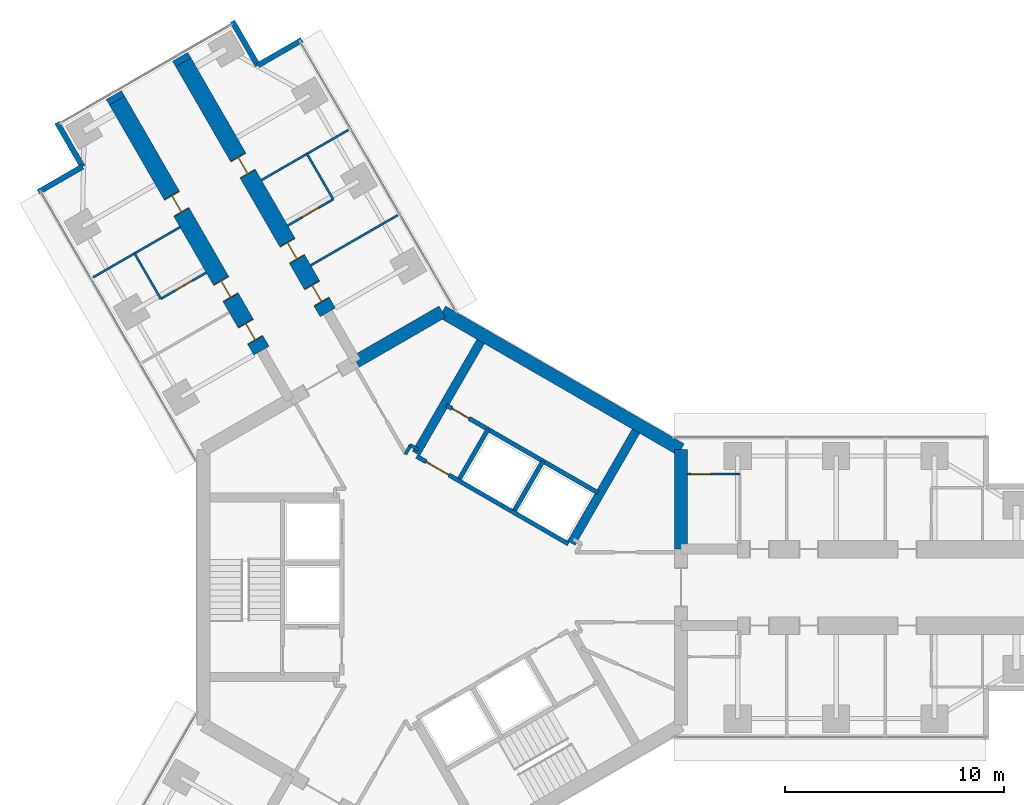
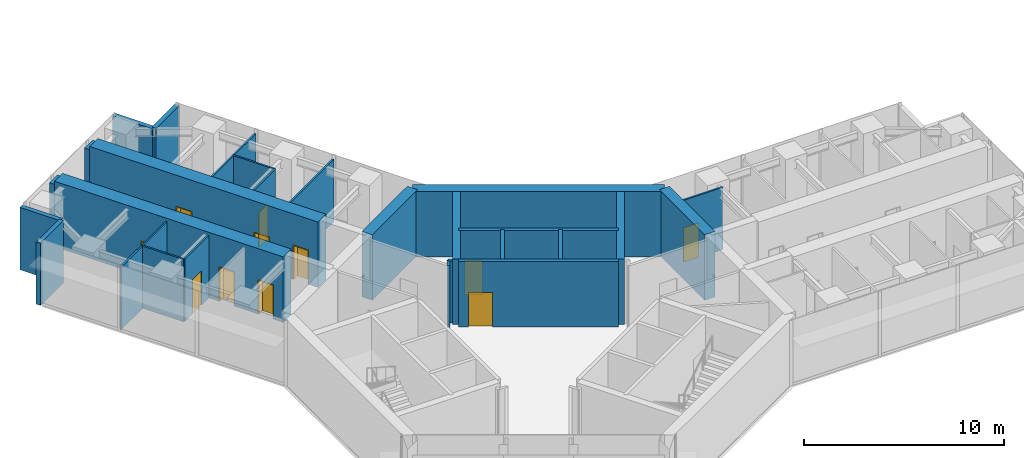
# One storey, part 17 of 23: 27 walls, 11 doors, 11 openings.
"""IFC4 building model written with IfcOpenShell, lengths in metres."""

from ifc_helpers import new_model, si_unit, direction, frame, frame_2d, origin, place, context, subcontext, project, spatial, rectangle, extrude, material, layer, layer_set, type_object, element, fill, save


model = new_model("IFC4")

# Units and contexts
model_context = context("Model", 3, precision=1e-05, world=origin(), true_north=direction((0.0, 1.0)))
body_context = subcontext(model_context, "Body", "Model", "MODEL_VIEW")
ifc_project = project(units=[si_unit("LENGTHUNIT", "METRE"), si_unit("AREAUNIT", "SQUARE_METRE"), si_unit("VOLUMEUNIT", "CUBIC_METRE"), si_unit("PLANEANGLEUNIT", "RADIAN"), si_unit("MASSUNIT", "GRAM", prefix="KILO")], contexts=[model_context])

# Site, building, storey
site_placement = place(None, origin())
site = spatial("IfcSite", under=ifc_project, at=site_placement, CompositionType="ELEMENT")
building_placement = place(site_placement, origin())
building = spatial("IfcBuilding", under=site, at=building_placement, Name="Upepo Twin Towers", CompositionType="ELEMENT")
storey_placement = place(building_placement, frame((0.0, 0.0, 145.5)))
storey = spatial("IfcBuildingStorey", under=building, at=storey_placement, Name="L35", CompositionType="ELEMENT", Elevation=145.5)

# Walls
ifc_material_1 = material(Name="Dense concrete blockwork", Category="masonry")
ifc_layer_1 = layer(ifc_material_1, 0.800048828125)
ifc_layer_set_1 = layer_set([ifc_layer_1], Name="Buttress closer 800, blockwork with fire-stopping to the curtain wall")
wall_type_1 = type_object("IfcWallType", Name="Buttress closer 800, blockwork with fire-stopping to the curtain wall", PredefinedType="PARTITIONING", material=ifc_layer_set_1)
wall_1_placement = place(storey_placement, frame((-14.865478515625, 22.247802734375, 0.0), z_axis=(0.0, 0.0, 1.0), x_axis=(-0.500426713919, 0.865778900179, 0.0)))
element("IfcWall", 1, at=wall_1_placement, inside=storey, type_object=wall_type_1, Name="T1 L35 wing B buttress closer L", PredefinedType="PARTITIONING", context=body_context, shape_type="SweptSolid", body=[
    extrude(rectangle(XDim=0.300048828125, YDim=0.800048828125, at=frame_2d((0.14990234375, 0.0))), origin(), (0.0, 0.0, 1.0), 3.800048828125),
])
wall_2_placement = place(storey_placement, frame((-11.83447265625, 23.997802734375, 0.0), z_axis=(0.0, 0.0, 1.0), x_axis=(-0.499816412211, 0.866131372301, 0.0)))
element("IfcWall", 2, at=wall_2_placement, inside=storey, type_object=wall_type_1, Name="T1 L35 wing B buttress closer R", PredefinedType="PARTITIONING", context=body_context, shape_type="SweptSolid", body=[
    extrude(rectangle(XDim=0.2998046875, YDim=0.800048828125, at=frame_2d((0.14990234375, 0.0))), origin(), (0.0, 0.0, 1.0), 3.800048828125),
])

# Wall, openings, doors
ifc_material_2 = material(Name="Concrete C60/75", Category="concrete")
ifc_layer_2 = layer(ifc_material_2, 0.800048828125)
ifc_layer_set_2 = layer_set([ifc_layer_2], Name="Concrete C60/75")
wall_type_2 = type_object("IfcWallType", Name="Buttress wall 800 RC", PredefinedType="SHEAR", material=ifc_layer_set_2)
wall_3_placement = place(storey_placement, frame((-8.265625, 10.81640625, 0.0), z_axis=(0.0, 0.0, 1.0), x_axis=(-0.499996231654, 0.866027579429, 0.0)))
wall_3 = element("IfcWall", 3, at=wall_3_placement, inside=storey, type_object=wall_type_2, Name="T1 wing B buttress wall L part 2", PredefinedType="SHEAR", context=body_context, shape_type="SweptSolid", body=[
    extrude(rectangle(XDim=13.19970703125, YDim=0.800048828125, at=frame_2d((6.599853515625, 0.0))), origin(), (0.0, 0.0, 1.0), 4.0),
])
opening_1_placement = place(wall_3_placement, frame((0.550048828125, 0.0, 0.0)))
opening_1 = element("IfcOpeningElement", 4, at=opening_1_placement, cuts=wall_3, Name="Opening D14", PredefinedType="OPENING", context=body_context, shape_type="SweptSolid", body=[
    extrude(rectangle(XDim=0.89990234375, YDim=2.10009765625, at=frame_2d((0.449951171875, 1.050048828125))), frame((0.0, 0.409912109375, 0.0), z_axis=(0.0, -1.0, 0.0), x_axis=(1.0, 0.0, 0.0)), (0.0, 0.0, 1.0), 0.820068359375),
])
opening_2_placement = place(wall_3_placement, frame((2.800048828125, 0.0, 0.0)))
opening_2 = element("IfcOpeningElement", 5, at=opening_2_placement, cuts=wall_3, Name="Opening D14", PredefinedType="OPENING", context=body_context, shape_type="SweptSolid", body=[
    extrude(rectangle(XDim=0.89990234375, YDim=2.10009765625, at=frame_2d((0.449951171875, 1.050048828125))), frame((0.0, 0.409912109375, 0.0), z_axis=(0.0, -1.0, 0.0), x_axis=(1.0, 0.0, 0.0)), (0.0, 0.0, 1.0), 0.820068359375),
])
opening_3_placement = place(wall_3_placement, frame((7.300048828125, 0.0, 0.0)))
opening_3 = element("IfcOpeningElement", 6, at=opening_3_placement, cuts=wall_3, Name="Opening D14", PredefinedType="OPENING", context=body_context, shape_type="SweptSolid", body=[
    extrude(rectangle(XDim=0.89990234375, YDim=2.10009765625, at=frame_2d((0.449951171875, 1.050048828125))), frame((0.0, 0.409912109375, 0.0), z_axis=(0.0, -1.0, 0.0), x_axis=(1.0, 0.0, 0.0)), (0.0, 0.0, 1.0), 0.820068359375),
])
ifc_material_3 = material(Name="Timber doorset", Category="wood")
door_type_1 = type_object("IfcDoorType", Name="Office door 900 FD30", OperationType="SINGLE_SWING_LEFT", PredefinedType="DOOR", material=ifc_material_3)
door_1_placement = place(opening_1_placement, origin())
door_1 = element("IfcDoor", 7, at=door_1_placement, inside=storey, type_object=door_type_1, Name="T1 L35 staff office door", OperationType="SINGLE_SWING_LEFT", OverallHeight=2.10009765625, OverallWidth=0.89990234375, PredefinedType="DOOR", context=body_context, shape_type="SweptSolid", body=[
    extrude(rectangle(XDim=0.81990234375, YDim=2.06009765625, at=frame_2d((0.449951171875, 1.030029296875))), frame((0.0, 0.02490234375, 0.0), z_axis=(0.0, -1.0, 0.0), x_axis=(1.0, 0.0, 0.0)), (0.0, 0.0, 1.0), 0.050048828125),
    extrude(rectangle(XDim=0.04, YDim=2.10009765625, at=frame_2d((0.02001953125, 1.050048828125))), frame((0.0, 0.39990234375, 0.0), z_axis=(0.0, -1.0, 0.0), x_axis=(1.0, 0.0, 0.0)), (0.0, 0.0, 1.0), 0.799560546875),
    extrude(rectangle(XDim=0.04, YDim=2.10009765625, at=frame_2d((0.8798828125, 1.050048828125))), frame((0.0, 0.39990234375, 0.0), z_axis=(0.0, -1.0, 0.0), x_axis=(1.0, 0.0, 0.0)), (0.0, 0.0, 1.0), 0.799560546875),
    extrude(rectangle(XDim=0.81990234375, YDim=0.04, at=frame_2d((0.449951171875, 2.080078125))), frame((0.0, 0.39990234375, 0.0), z_axis=(0.0, -1.0, 0.0), x_axis=(1.0, 0.0, 0.0)), (0.0, 0.0, 1.0), 0.799560546875),
])
fill(opening_1, door_1)
door_2_placement = place(opening_2_placement, origin())
door_2 = element("IfcDoor", 8, at=door_2_placement, inside=storey, type_object=door_type_1, Name="T1 L35 postgraduate office door", OperationType="SINGLE_SWING_LEFT", OverallHeight=2.10009765625, OverallWidth=0.89990234375, PredefinedType="DOOR", context=body_context, shape_type="SweptSolid", body=[
    extrude(rectangle(XDim=0.81990234375, YDim=2.06009765625, at=frame_2d((0.449951171875, 1.030029296875))), frame((0.0, 0.02490234375, 0.0), z_axis=(0.0, -1.0, 0.0), x_axis=(1.0, 0.0, 0.0)), (0.0, 0.0, 1.0), 0.050048828125),
    extrude(rectangle(XDim=0.04, YDim=2.10009765625, at=frame_2d((0.02001953125, 1.050048828125))), frame((0.0, 0.39990234375, 0.0), z_axis=(0.0, -1.0, 0.0), x_axis=(1.0, 0.0, 0.0)), (0.0, 0.0, 1.0), 0.799560546875),
    extrude(rectangle(XDim=0.04, YDim=2.10009765625, at=frame_2d((0.8798828125, 1.050048828125))), frame((0.0, 0.39990234375, 0.0), z_axis=(0.0, -1.0, 0.0), x_axis=(1.0, 0.0, 0.0)), (0.0, 0.0, 1.0), 0.799560546875),
    extrude(rectangle(XDim=0.81990234375, YDim=0.04, at=frame_2d((0.449951171875, 2.080078125))), frame((0.0, 0.39990234375, 0.0), z_axis=(0.0, -1.0, 0.0), x_axis=(1.0, 0.0, 0.0)), (0.0, 0.0, 1.0), 0.799560546875),
])
fill(opening_2, door_2)
door_3_placement = place(opening_3_placement, origin())
door_3 = element("IfcDoor", 9, at=door_3_placement, inside=storey, type_object=door_type_1, Name="T1 L35 meeting room door", OperationType="SINGLE_SWING_RIGHT", OverallHeight=2.10009765625, OverallWidth=0.89990234375, PredefinedType="DOOR", context=body_context, shape_type="SweptSolid", body=[
    extrude(rectangle(XDim=0.81990234375, YDim=2.06009765625, at=frame_2d((0.449951171875, 1.030029296875))), frame((0.0, 0.02490234375, 0.0), z_axis=(0.0, -1.0, 0.0), x_axis=(1.0, 0.0, 0.0)), (0.0, 0.0, 1.0), 0.050048828125),
    extrude(rectangle(XDim=0.04, YDim=2.10009765625, at=frame_2d((0.02001953125, 1.050048828125))), frame((0.0, 0.39990234375, 0.0), z_axis=(0.0, -1.0, 0.0), x_axis=(1.0, 0.0, 0.0)), (0.0, 0.0, 1.0), 0.799560546875),
    extrude(rectangle(XDim=0.04, YDim=2.10009765625, at=frame_2d((0.8798828125, 1.050048828125))), frame((0.0, 0.39990234375, 0.0), z_axis=(0.0, -1.0, 0.0), x_axis=(1.0, 0.0, 0.0)), (0.0, 0.0, 1.0), 0.799560546875),
    extrude(rectangle(XDim=0.81990234375, YDim=0.04, at=frame_2d((0.449951171875, 2.080078125))), frame((0.0, 0.39990234375, 0.0), z_axis=(0.0, -1.0, 0.0), x_axis=(1.0, 0.0, 0.0)), (0.0, 0.0, 1.0), 0.799560546875),
])
fill(opening_3, door_3)

wall_4_placement = place(storey_placement, frame((-5.234375, 12.56640625, 0.0), z_axis=(0.0, 0.0, 1.0), x_axis=(-0.500010103361, 0.866019570528, 0.0)))
wall_4 = element("IfcWall", 10, at=wall_4_placement, inside=storey, type_object=wall_type_2, Name="T1 wing B buttress wall R part 2", PredefinedType="SHEAR", context=body_context, shape_type="SweptSolid", body=[
    extrude(rectangle(XDim=13.199951171875, YDim=0.800048828125, at=frame_2d((6.60009765625, 0.0))), origin(), (0.0, 0.0, 1.0), 4.0),
])
opening_4_placement = place(wall_4_placement, frame((0.550048828125, 0.0, 0.0)))
opening_4 = element("IfcOpeningElement", 11, at=opening_4_placement, cuts=wall_4, Name="Opening D14", PredefinedType="OPENING", context=body_context, shape_type="SweptSolid", body=[
    extrude(rectangle(XDim=0.89990234375, YDim=2.10009765625, at=frame_2d((0.449951171875, 1.050048828125))), frame((0.0, 0.409912109375, 0.0), z_axis=(0.0, -1.0, 0.0), x_axis=(1.0, 0.0, 0.0)), (0.0, 0.0, 1.0), 0.820068359375),
])
opening_5_placement = place(wall_4_placement, frame((2.800048828125, 0.0, 0.0)))
opening_5 = element("IfcOpeningElement", 12, at=opening_5_placement, cuts=wall_4, Name="Opening D14", PredefinedType="OPENING", context=body_context, shape_type="SweptSolid", body=[
    extrude(rectangle(XDim=0.89990234375, YDim=2.10009765625, at=frame_2d((0.449951171875, 1.050048828125))), frame((0.0, 0.409912109375, 0.0), z_axis=(0.0, -1.0, 0.0), x_axis=(1.0, 0.0, 0.0)), (0.0, 0.0, 1.0), 0.820068359375),
])
opening_6_placement = place(wall_4_placement, frame((7.300048828125, 0.0, 0.0)))
opening_6 = element("IfcOpeningElement", 13, at=opening_6_placement, cuts=wall_4, Name="Opening D14", PredefinedType="OPENING", context=body_context, shape_type="SweptSolid", body=[
    extrude(rectangle(XDim=0.89990234375, YDim=2.10009765625, at=frame_2d((0.449951171875, 1.050048828125))), frame((0.0, 0.409912109375, 0.0), z_axis=(0.0, -1.0, 0.0), x_axis=(1.0, 0.0, 0.0)), (0.0, 0.0, 1.0), 0.820068359375),
])
door_4_placement = place(opening_4_placement, origin())
door_4 = element("IfcDoor", 14, at=door_4_placement, inside=storey, type_object=door_type_1, Name="T1 L35 staff office door", OperationType="SINGLE_SWING_LEFT", OverallHeight=2.10009765625, OverallWidth=0.89990234375, PredefinedType="DOOR", context=body_context, shape_type="SweptSolid", body=[
    extrude(rectangle(XDim=0.81990234375, YDim=2.06009765625, at=frame_2d((0.449951171875, 1.030029296875))), frame((0.0, 0.02490234375, 0.0), z_axis=(0.0, -1.0, 0.0), x_axis=(1.0, 0.0, 0.0)), (0.0, 0.0, 1.0), 0.050048828125),
    extrude(rectangle(XDim=0.04, YDim=2.10009765625, at=frame_2d((0.02001953125, 1.050048828125))), frame((0.0, 0.39990234375, 0.0), z_axis=(0.0, -1.0, 0.0), x_axis=(1.0, 0.0, 0.0)), (0.0, 0.0, 1.0), 0.799560546875),
    extrude(rectangle(XDim=0.04, YDim=2.10009765625, at=frame_2d((0.8798828125, 1.050048828125))), frame((0.0, 0.39990234375, 0.0), z_axis=(0.0, -1.0, 0.0), x_axis=(1.0, 0.0, 0.0)), (0.0, 0.0, 1.0), 0.799560546875),
    extrude(rectangle(XDim=0.81990234375, YDim=0.04, at=frame_2d((0.449951171875, 2.080078125))), frame((0.0, 0.39990234375, 0.0), z_axis=(0.0, -1.0, 0.0), x_axis=(1.0, 0.0, 0.0)), (0.0, 0.0, 1.0), 0.799560546875),
])
fill(opening_4, door_4)
door_5_placement = place(opening_5_placement, origin())
door_5 = element("IfcDoor", 15, at=door_5_placement, inside=storey, type_object=door_type_1, Name="T1 L35 staff office door", OperationType="SINGLE_SWING_LEFT", OverallHeight=2.10009765625, OverallWidth=0.89990234375, PredefinedType="DOOR", context=body_context, shape_type="SweptSolid", body=[
    extrude(rectangle(XDim=0.81990234375, YDim=2.06009765625, at=frame_2d((0.449951171875, 1.030029296875))), frame((0.0, 0.02490234375, 0.0), z_axis=(0.0, -1.0, 0.0), x_axis=(1.0, 0.0, 0.0)), (0.0, 0.0, 1.0), 0.050048828125),
    extrude(rectangle(XDim=0.04, YDim=2.10009765625, at=frame_2d((0.02001953125, 1.050048828125))), frame((0.0, 0.39990234375, 0.0), z_axis=(0.0, -1.0, 0.0), x_axis=(1.0, 0.0, 0.0)), (0.0, 0.0, 1.0), 0.799560546875),
    extrude(rectangle(XDim=0.04, YDim=2.10009765625, at=frame_2d((0.8798828125, 1.050048828125))), frame((0.0, 0.39990234375, 0.0), z_axis=(0.0, -1.0, 0.0), x_axis=(1.0, 0.0, 0.0)), (0.0, 0.0, 1.0), 0.799560546875),
    extrude(rectangle(XDim=0.81990234375, YDim=0.04, at=frame_2d((0.449951171875, 2.080078125))), frame((0.0, 0.39990234375, 0.0), z_axis=(0.0, -1.0, 0.0), x_axis=(1.0, 0.0, 0.0)), (0.0, 0.0, 1.0), 0.799560546875),
])
fill(opening_5, door_5)
door_6_placement = place(opening_6_placement, origin())
door_6 = element("IfcDoor", 16, at=door_6_placement, inside=storey, type_object=door_type_1, Name="T1 L35 postgraduate office door", OperationType="SINGLE_SWING_RIGHT", OverallHeight=2.10009765625, OverallWidth=0.89990234375, PredefinedType="DOOR", context=body_context, shape_type="SweptSolid", body=[
    extrude(rectangle(XDim=0.81990234375, YDim=2.06009765625, at=frame_2d((0.449951171875, 1.030029296875))), frame((0.0, 0.02490234375, 0.0), z_axis=(0.0, -1.0, 0.0), x_axis=(1.0, 0.0, 0.0)), (0.0, 0.0, 1.0), 0.050048828125),
    extrude(rectangle(XDim=0.04, YDim=2.10009765625, at=frame_2d((0.02001953125, 1.050048828125))), frame((0.0, 0.39990234375, 0.0), z_axis=(0.0, -1.0, 0.0), x_axis=(1.0, 0.0, 0.0)), (0.0, 0.0, 1.0), 0.799560546875),
    extrude(rectangle(XDim=0.04, YDim=2.10009765625, at=frame_2d((0.8798828125, 1.050048828125))), frame((0.0, 0.39990234375, 0.0), z_axis=(0.0, -1.0, 0.0), x_axis=(1.0, 0.0, 0.0)), (0.0, 0.0, 1.0), 0.799560546875),
    extrude(rectangle(XDim=0.81990234375, YDim=0.04, at=frame_2d((0.449951171875, 2.080078125))), frame((0.0, 0.39990234375, 0.0), z_axis=(0.0, -1.0, 0.0), x_axis=(1.0, 0.0, 0.0)), (0.0, 0.0, 1.0), 0.799560546875),
])
fill(opening_6, door_6)

# Walls
ifc_material_4 = material(Name="Concrete C60/75", Category="concrete")
ifc_layer_3 = layer(ifc_material_4, 0.60009765625)
ifc_layer_set_3 = layer_set([ifc_layer_3], Name="Concrete C60/75")
wall_type_3 = type_object("IfcWallType", Name="Core wall 600 RC", PredefinedType="SHEAR", material=ifc_layer_set_3)
wall_5_placement = place(storey_placement, frame((10.908447265625, 1.75, 0.0), z_axis=(0.0, 0.0, 1.0), x_axis=(0.0, 1.0, 0.0)))
element("IfcWall", 17, at=wall_5_placement, inside=storey, type_object=wall_type_3, Name="T1 core wall 000 L", PredefinedType="SHEAR", context=body_context, shape_type="SweptSolid", body=[
    extrude(rectangle(XDim=4.5478515625, YDim=0.60009765625, at=frame_2d((2.27392578125, 0.0))), origin(), (0.0, 0.0, 1.0), 4.0),
])
wall_6_placement = place(storey_placement, frame((10.908447265625, 6.2978515625, 0.0), z_axis=(0.0, 0.0, 1.0), x_axis=(-0.866021940709, 0.500005998175, 0.0)))
element("IfcWall", 18, at=wall_6_placement, inside=storey, type_object=wall_type_3, Name="T1 core wall 060", PredefinedType="SHEAR", context=body_context, shape_type="SweptSolid", body=[
    extrude(rectangle(XDim=12.595947265625, YDim=0.60009765625, at=frame_2d((6.2978515625, 0.0))), origin(), (0.0, 0.0, 1.0), 4.0),
])
wall_7_placement = place(storey_placement, frame((0.0, 12.595947265625, 0.0), z_axis=(0.0, 0.0, 1.0), x_axis=(-0.866011268655, -0.500024481964, 0.0)))
element("IfcWall", 19, at=wall_7_placement, inside=storey, type_object=wall_type_3, Name="T1 core wall 120 R", PredefinedType="SHEAR", context=body_context, shape_type="SweptSolid", body=[
    extrude(rectangle(XDim=4.548095703125, YDim=0.60009765625, at=frame_2d((2.27392578125, 0.0))), origin(), (0.0, 0.0, 1.0), 4.0),
])
ifc_material_5 = material(Name="Blockwork with anodised aluminium cladding", Category="masonry")
ifc_layer_4 = layer(ifc_material_5, 0.25)
ifc_layer_set_4 = layer_set([ifc_layer_4], Name="Notch cladding wall 250, pale metal")
wall_type_4 = type_object("IfcWallType", Name="Notch cladding wall 250, pale metal", PredefinedType="STANDARD", material=ifc_layer_set_4)
for number, where, z_axis, x_axis, name in (
    (20, (-18.456298828125, 18.0673828125, 0.0), (0.0, 0.0, 1.0), (0.865998469481, 0.500046648681, 0.0), "T1 L35 wing B notch wall L1"),
    (21, (-16.44287109375, 19.22998046875, 0.0), (0.0, 0.0, 1.0), (-0.500046648681, 0.865998469481, 0.0), "T1 L35 wing B notch wall L2"),
    (22, (-6.418701171875, 25.017333984375, 0.0), (0.0, 0.0, 1.0), (-0.866043940782, -0.499967891604, 0.0), "T1 L35 wing B notch wall R1"),
    (23, (-8.43212890625, 23.85498046875, 0.0), (0.0, 0.0, 1.0), (-0.500046648681, 0.865998469481, 0.0), "T1 L35 wing B notch wall R2"),
):
    element("IfcWall", number, at=place(storey_placement, frame(where, z_axis=z_axis, x_axis=x_axis)), inside=storey, type_object=wall_type_4, Name=name, PredefinedType="STANDARD", context=body_context, shape_type="SweptSolid", body=[
        extrude(rectangle(XDim=2.324951171875, YDim=0.25, at=frame_2d((1.16259765625, 0.0))), origin(), (0.0, 0.0, 1.0), 3.800048828125),
    ])

# Wall, opening, door
ifc_material_6 = material(Name="Gypsum board on steel studs", Category="steel")
ifc_layer_5 = layer(ifc_material_6, 0.10009765625)
ifc_layer_set_5 = layer_set([ifc_layer_5], Name="Office partition 100 stud")
wall_type_5 = type_object("IfcWallType", Name="Office partition 100 stud", PredefinedType="PARTITIONING", material=ifc_layer_set_5)
wall_8_placement = place(storey_placement, frame((11.2080078125, 5.175048828125, 0.0), z_axis=(0.0, 0.0, 1.0), x_axis=(1.0, 0.0, 0.0)))
wall_8 = element("IfcWall", 24, at=wall_8_placement, inside=storey, type_object=wall_type_5, Name="T1 WC bay partition AL at 11.21", PredefinedType="PARTITIONING", context=body_context, shape_type="SweptSolid", body=[
    extrude(rectangle(XDim=2.39990234375, YDim=0.10009765625, at=frame_2d((1.199951171875, 0.0))), origin(), (0.0, 0.0, 1.0), 3.800048828125),
])
opening_7_placement = place(wall_8_placement, frame((0.14990234375, 0.0, 0.0)))
opening_7 = element("IfcOpeningElement", 25, at=opening_7_placement, cuts=wall_8, Name="Opening D14", PredefinedType="OPENING", context=body_context, shape_type="SweptSolid", body=[
    extrude(rectangle(XDim=0.89990234375, YDim=2.10009765625, at=frame_2d((0.449951171875, 1.050048828125))), frame((0.0, 0.06005859375, 0.0), z_axis=(0.0, -1.0, 0.0), x_axis=(1.0, 0.0, 0.0)), (0.0, 0.0, 1.0), 0.1201171875),
])
door_7_placement = place(opening_7_placement, origin())
door_7 = element("IfcDoor", 26, at=door_7_placement, inside=storey, type_object=door_type_1, Name="T1 L35 WC bay inner room door", OperationType="SINGLE_SWING_LEFT", OverallHeight=2.10009765625, OverallWidth=0.89990234375, PredefinedType="DOOR", context=body_context, shape_type="SweptSolid", body=[
    extrude(rectangle(XDim=0.89990234375, YDim=2.10009765625, at=frame_2d((0.449951171875, 1.050048828125))), frame((0.0, 0.02490234375, 0.0), z_axis=(0.0, -1.0, 0.0), x_axis=(1.0, 0.0, 0.0)), (0.0, 0.0, 1.0), 0.050048828125),
])
fill(opening_7, door_7)

# Walls
wall_9_placement = place(storey_placement, frame((-11.987060546875, 16.4619140625, 0.0), z_axis=(0.0, 0.0, 1.0), x_axis=(-0.866039752405, -0.499975146636, 0.0)))
element("IfcWall", 27, at=wall_9_placement, inside=storey, type_object=wall_type_5, Name="T1 partition BL at 20.25", PredefinedType="PARTITIONING", context=body_context, shape_type="SweptSolid", body=[
    extrude(rectangle(XDim=4.599853515625, YDim=0.10009765625, at=frame_2d((2.2998046875, 0.0))), origin(), (0.0, 0.0, 1.0), 3.800048828125),
])
wall_10_placement = place(storey_placement, frame((-12.865478515625, 13.18359375, 0.0), z_axis=(0.0, 0.0, 1.0), x_axis=(-0.500001309137, 0.866024647952, 0.0)))
element("IfcWall", 28, at=wall_10_placement, inside=storey, type_object=wall_type_5, Name="T1 inner room partition BL at 17.85", PredefinedType="PARTITIONING", context=body_context, shape_type="SweptSolid", body=[
    extrude(rectangle(XDim=2.39990234375, YDim=0.10009765625, at=frame_2d((1.199951171875, 0.0))), origin(), (0.0, 0.0, 1.0), 3.800048828125),
])

# Wall, opening, door
wall_11_placement = place(storey_placement, frame((-10.786865234375, 14.383544921875, 0.0), z_axis=(0.0, 0.0, 1.0), x_axis=(-0.866050077142, -0.499957262057, 0.0)))
wall_11 = element("IfcWall", 29, at=wall_11_placement, inside=storey, type_object=wall_type_5, Name="T1 inner room partition BL end at 17.85", PredefinedType="PARTITIONING", context=body_context, shape_type="SweptSolid", body=[
    extrude(rectangle(XDim=2.400146484375, YDim=0.10009765625, at=frame_2d((1.2001953125, 0.0))), origin(), (0.0, 0.0, 1.0), 3.800048828125),
])
opening_8_placement = place(wall_11_placement, frame((0.75, 0.0, 0.0)))
opening_8 = element("IfcOpeningElement", 30, at=opening_8_placement, cuts=wall_11, Name="Opening D14", PredefinedType="OPENING", context=body_context, shape_type="SweptSolid", body=[
    extrude(rectangle(XDim=0.89990234375, YDim=2.10009765625, at=frame_2d((0.449951171875, 1.050048828125))), frame((0.0, 0.06005859375, 0.0), z_axis=(0.0, -1.0, 0.0), x_axis=(1.0, 0.0, 0.0)), (0.0, 0.0, 1.0), 0.1201171875),
])
door_8_placement = place(opening_8_placement, origin())
door_8 = element("IfcDoor", 31, at=door_8_placement, inside=storey, type_object=door_type_1, Name="T1 L35 inner room door", OperationType="SINGLE_SWING_LEFT", OverallHeight=2.10009765625, OverallWidth=0.89990234375, PredefinedType="DOOR", context=body_context, shape_type="SweptSolid", body=[
    extrude(rectangle(XDim=0.89990234375, YDim=2.10009765625, at=frame_2d((0.449951171875, 1.050048828125))), frame((0.0, 0.02490234375, 0.0), z_axis=(0.0, -1.0, 0.0), x_axis=(1.0, 0.0, 0.0)), (0.0, 0.0, 1.0), 0.050048828125),
])
fill(opening_8, door_8)

# Walls
for number, where, z_axis, x_axis, name in (
    (32, (-6.012939453125, 14.71484375, 0.0), (0.0, 0.0, 1.0), (0.866016770315, 0.500014953309, 0.0), "T1 partition BR at 15.75"),
    (33, (-8.262939453125, 18.612060546875, 0.0), (0.0, 0.0, 1.0), (0.866016770315, 0.500014953309, 0.0), "T1 partition BR at 20.25"),
):
    element("IfcWall", number, at=place(storey_placement, frame(where, z_axis=z_axis, x_axis=x_axis)), inside=storey, type_object=wall_type_5, Name=name, PredefinedType="PARTITIONING", context=body_context, shape_type="SweptSolid", body=[
        extrude(rectangle(XDim=4.599853515625, YDim=0.10009765625, at=frame_2d((2.2998046875, 0.0))), origin(), (0.0, 0.0, 1.0), 3.800048828125),
    ])
wall_12_placement = place(storey_placement, frame((-4.984619140625, 17.733642578125, 0.0), z_axis=(0.0, 0.0, 1.0), x_axis=(-0.500001309137, 0.866024647952, 0.0)))
element("IfcWall", 34, at=wall_12_placement, inside=storey, type_object=wall_type_5, Name="T1 inner room partition BR at 17.85", PredefinedType="PARTITIONING", context=body_context, shape_type="SweptSolid", body=[
    extrude(rectangle(XDim=2.39990234375, YDim=0.10009765625, at=frame_2d((1.199951171875, 0.0))), origin(), (0.0, 0.0, 1.0), 3.800048828125),
])

# Wall, opening, door
wall_13_placement = place(storey_placement, frame((-7.06298828125, 16.533447265625, 0.0), z_axis=(0.0, 0.0, 1.0), x_axis=(0.865980596518, 0.500077600433, 0.0)))
wall_13 = element("IfcWall", 35, at=wall_13_placement, inside=storey, type_object=wall_type_5, Name="T1 inner room partition BR end at 17.85", PredefinedType="PARTITIONING", context=body_context, shape_type="SweptSolid", body=[
    extrude(rectangle(XDim=2.39990234375, YDim=0.10009765625, at=frame_2d((1.199951171875, 0.0))), origin(), (0.0, 0.0, 1.0), 3.800048828125),
])
opening_9_placement = place(wall_13_placement, frame((0.75, 0.0, 0.0)))
opening_9 = element("IfcOpeningElement", 36, at=opening_9_placement, cuts=wall_13, Name="Opening D14", PredefinedType="OPENING", context=body_context, shape_type="SweptSolid", body=[
    extrude(rectangle(XDim=0.89990234375, YDim=2.10009765625, at=frame_2d((0.449951171875, 1.050048828125))), frame((0.0, 0.06005859375, 0.0), z_axis=(0.0, -1.0, 0.0), x_axis=(1.0, 0.0, 0.0)), (0.0, 0.0, 1.0), 0.1201171875),
])
door_9_placement = place(opening_9_placement, origin())
door_9 = element("IfcDoor", 37, at=door_9_placement, inside=storey, type_object=door_type_1, Name="T1 L35 inner room door", OperationType="SINGLE_SWING_LEFT", OverallHeight=2.10009765625, OverallWidth=0.89990234375, PredefinedType="DOOR", context=body_context, shape_type="SweptSolid", body=[
    extrude(rectangle(XDim=0.89990234375, YDim=2.10009765625, at=frame_2d((0.449951171875, 1.050048828125))), frame((0.0, 0.02490234375, 0.0), z_axis=(0.0, -1.0, 0.0), x_axis=(1.0, 0.0, 0.0)), (0.0, 0.0, 1.0), 0.050048828125),
])
fill(opening_9, door_9)

ifc_material_7 = material(Name="Concrete C40/50", Category="concrete")
ifc_layer_6 = layer(ifc_material_7, 0.199951171875)
ifc_layer_set_6 = layer_set([ifc_layer_6], Name="Concrete C40/50")
wall_type_6 = type_object("IfcWallType", Name="Shaft wall 200 RC", PredefinedType="SHEAR", material=ifc_layer_set_6)
wall_14_placement = place(storey_placement, frame((5.76416015625, 1.983642578125, 0.0), z_axis=(0.0, 0.0, 1.0), x_axis=(-0.866026010844, 0.49999894854, 0.0)))
wall_14 = element("IfcWall", 38, at=wall_14_placement, inside=storey, type_object=wall_type_6, Name="T1 core W60 front wall", PredefinedType="SHEAR", context=body_context, shape_type="SweptSolid", body=[
    extrude(rectangle(XDim=8.0, YDim=0.199951171875, at=frame_2d((4.0, 0.0))), origin(), (0.0, 0.0, 1.0), 4.0),
])
opening_10_placement = place(wall_14_placement, frame((6.300048828125, 0.0, 0.0)))
opening_10 = element("IfcOpeningElement", 39, at=opening_10_placement, cuts=wall_14, Name="Opening D4", PredefinedType="OPENING", context=body_context, shape_type="SweptSolid", body=[
    extrude(rectangle(XDim=1.199951171875, YDim=2.10009765625, at=frame_2d((0.60009765625, 1.050048828125))), frame((0.0, 0.10986328125, 0.0), z_axis=(0.0, -1.0, 0.0), x_axis=(1.0, 0.0, 0.0)), (0.0, 0.0, 1.0), 0.219970703125),
])
ifc_material_8 = material(Name="Timber doorset", Category="wood")
door_type_2 = type_object("IfcDoorType", Name="Lobby door 1200 FD60", OperationType="SINGLE_SWING_LEFT", PredefinedType="DOOR", material=ifc_material_8)
door_10_placement = place(opening_10_placement, origin())
door_10 = element("IfcDoor", 40, at=door_10_placement, inside=storey, type_object=door_type_2, Name="T1 L35 W60 lobby door", OperationType="SINGLE_SWING_RIGHT", OverallHeight=2.10009765625, OverallWidth=1.199951171875, PredefinedType="DOOR", context=body_context, shape_type="SweptSolid", body=[
    extrude(rectangle(XDim=1.199951171875, YDim=2.10009765625, at=frame_2d((0.60009765625, 1.050048828125))), frame((0.0, 0.02490234375, 0.0), z_axis=(0.0, -1.0, 0.0), x_axis=(1.0, 0.0, 0.0)), (0.0, 0.0, 1.0), 0.050048828125),
])
fill(opening_10, door_10)

# Walls
for number, where, z_axis, x_axis, name in (
    (41, (3.302734375, 3.520263671875, 0.0), (0.0, 0.0, 1.0), (0.499936506574, 0.866062058628, 0.0), "T1 core W60 shaft divider"),
    (42, (0.791259765625, 4.97021484375, 0.0), (0.0, 0.0, 1.0), (0.499936506574, 0.866062058628, 0.0), "T1 core W60 lobby wall"),
):
    element("IfcWall", number, at=place(storey_placement, frame(where, z_axis=z_axis, x_axis=x_axis)), inside=storey, type_object=wall_type_6, Name=name, PredefinedType="SHEAR", context=body_context, shape_type="SweptSolid", body=[
        extrude(rectangle(XDim=2.599853515625, YDim=0.199951171875, at=frame_2d((1.2998046875, 0.0))), origin(), (0.0, 0.0, 1.0), 4.0),
    ])

# Wall, opening, door
wall_15_placement = place(storey_placement, frame((7.114013671875, 4.322021484375, 0.0), z_axis=(0.0, 0.0, 1.0), x_axis=(-0.866026010844, 0.49999894854, 0.0)))
wall_15 = element("IfcWall", 43, at=wall_15_placement, inside=storey, type_object=wall_type_6, Name="T1 core W60 stair wall", PredefinedType="SHEAR", context=body_context, shape_type="SweptSolid", body=[
    extrude(rectangle(XDim=8.0, YDim=0.199951171875, at=frame_2d((4.0, 0.0))), origin(), (0.0, 0.0, 1.0), 4.0),
])
opening_11_placement = place(wall_15_placement, frame((6.800048828125, 0.0, 0.0)))
opening_11 = element("IfcOpeningElement", 44, at=opening_11_placement, cuts=wall_15, Name="Opening D9", PredefinedType="OPENING", context=body_context, shape_type="SweptSolid", body=[
    extrude(rectangle(XDim=0.89990234375, YDim=2.10009765625, at=frame_2d((0.449951171875, 1.050048828125))), frame((0.0, 0.10986328125, 0.0), z_axis=(0.0, -1.0, 0.0), x_axis=(1.0, 0.0, 0.0)), (0.0, 0.0, 1.0), 0.219970703125),
])
ifc_material_9 = material(Name="Timber doorset", Category="wood")
door_type_3 = type_object("IfcDoorType", Name="Riser door 900 FD60", OperationType="SINGLE_SWING_LEFT", PredefinedType="DOOR", material=ifc_material_9)
door_11_placement = place(opening_11_placement, origin())
door_11 = element("IfcDoor", 45, at=door_11_placement, inside=storey, type_object=door_type_3, Name="T1 L35 riser door", OperationType="SINGLE_SWING_RIGHT", OverallHeight=2.10009765625, OverallWidth=0.89990234375, PredefinedType="DOOR", context=body_context, shape_type="SweptSolid", body=[
    extrude(rectangle(XDim=0.89990234375, YDim=2.10009765625, at=frame_2d((0.449951171875, 1.050048828125))), frame((0.0, 0.02490234375, 0.0), z_axis=(0.0, -1.0, 0.0), x_axis=(1.0, 0.0, 0.0)), (0.0, 0.0, 1.0), 0.050048828125),
])
fill(opening_11, door_11)

# Walls
ifc_material_10 = material(Name="Concrete C40/50", Category="concrete")
ifc_layer_7 = layer(ifc_material_10, 0.39990234375)
ifc_layer_set_7 = layer_set([ifc_layer_7], Name="Concrete C40/50")
wall_type_7 = type_object("IfcWallType", Name="Shaft wall 400 RC", PredefinedType="SHEAR", material=ifc_layer_set_7)
wall_16_placement = place(storey_placement, frame((-1.20068359375, 6.120361328125, 0.0), z_axis=(0.0, 0.0, 1.0), x_axis=(0.49999668571, 0.866027317282, 0.0)))
element("IfcWall", 46, at=wall_16_placement, inside=storey, type_object=wall_type_7, Name="T1 core W60 side wall N", PredefinedType="SHEAR", context=body_context, shape_type="SweptSolid", body=[
    extrude(rectangle(XDim=5.908203125, YDim=0.39990234375, at=frame_2d((2.9541015625, 0.0))), origin(), (0.0, 0.0, 1.0), 4.0),
])
wall_17_placement = place(storey_placement, frame((5.900634765625, 2.020263671875, 0.0), z_axis=(0.0, 0.0, 1.0), x_axis=(0.500027676417, 0.866009424208, 0.0)))
element("IfcWall", 47, at=wall_17_placement, inside=storey, type_object=wall_type_7, Name="T1 core W60 side wall S", PredefinedType="SHEAR", context=body_context, shape_type="SweptSolid", body=[
    extrude(rectangle(XDim=5.908447265625, YDim=0.39990234375, at=frame_2d((2.9541015625, 0.0))), origin(), (0.0, 0.0, 1.0), 4.0),
])
ifc_material_11 = material(Name="Gypsum board on steel studs", Category="steel")
ifc_layer_8 = layer(ifc_material_11, 0.14990234375)
ifc_layer_set_8 = layer_set([ifc_layer_8], Name="Teaching partition 150 acoustic")
wall_type_8 = type_object("IfcWallType", Name="Teaching partition 150 acoustic", PredefinedType="PARTITIONING", material=ifc_layer_set_8)
wall_18_placement = place(storey_placement, frame((-1.684326171875, 6.082763671875, 0.0), z_axis=(0.0, 0.0, 1.0), x_axis=(0.50033519877, 0.865831790172, 0.0)))
element("IfcWall", 48, at=wall_18_placement, inside=storey, type_object=wall_type_8, Name="T1 core room partition 12", PredefinedType="PARTITIONING", context=body_context, shape_type="SweptSolid", body=[
    extrude(rectangle(XDim=0.494384765625, YDim=0.14990234375, at=frame_2d((0.2470703125, 0.0))), origin(), (0.0, 0.0, 1.0), 3.800048828125),
])
wall_19_placement = place(storey_placement, frame((-1.46435546875, 6.50341796875, 0.0), z_axis=(0.0, 0.0, 1.0), x_axis=(0.866138304741, -0.499804398801, 0.0)))
element("IfcWall", 49, at=wall_19_placement, inside=storey, type_object=wall_type_8, Name="T1 core room partition 13", PredefinedType="PARTITIONING", context=body_context, shape_type="SweptSolid", body=[
    extrude(rectangle(XDim=0.429931640625, YDim=0.14990234375, at=frame_2d((0.21484375, 0.0))), origin(), (0.0, 0.0, 1.0), 3.800048828125),
])

save(model, "model.ifc")
